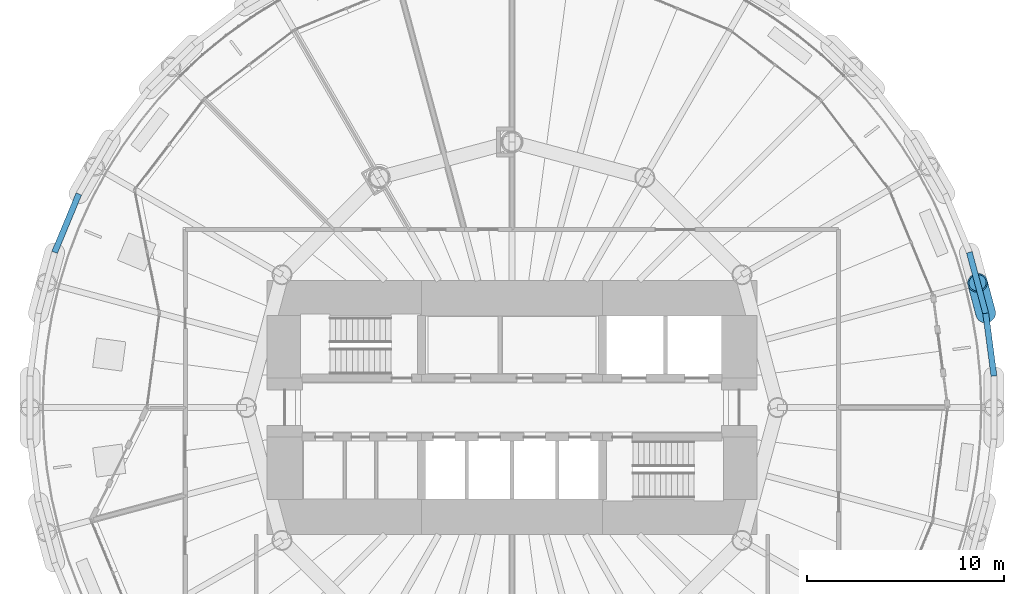
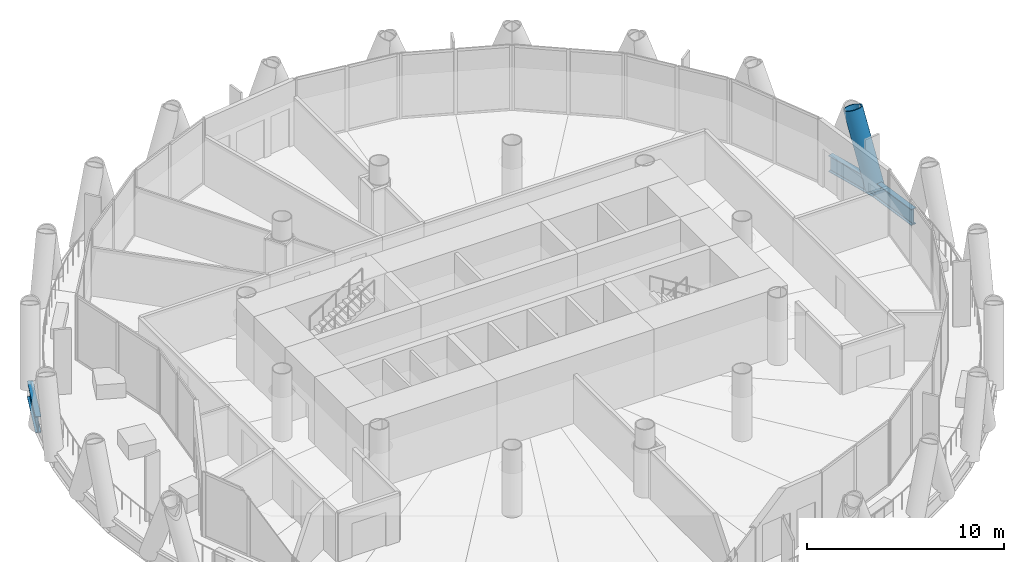
# One storey, part 5 of 16: 3 beams, 1 member.
"""IFC4 building model written with IfcOpenShell, lengths in metres."""

from ifc_helpers import new_model, si_unit, direction, frame, origin, origin_2d, place, context, subcontext, project, spatial, hollow_circle, i_section, extrude, material, material_profile, profile_set, type_object, element, save


model = new_model("IFC4")

# Units and contexts
model_context = context("Model", 3, precision=1e-05, world=origin(), true_north=direction((0.0, 1.0)))
body_context = subcontext(model_context, "Body", "Model", "MODEL_VIEW")
ifc_project = project(units=[si_unit("LENGTHUNIT", "METRE"), si_unit("AREAUNIT", "SQUARE_METRE"), si_unit("VOLUMEUNIT", "CUBIC_METRE"), si_unit("PLANEANGLEUNIT", "RADIAN"), si_unit("MASSUNIT", "GRAM", prefix="KILO")], contexts=[model_context])

# Site, building, storey
site_placement = place(None, origin())
site = spatial("IfcSite", under=ifc_project, at=site_placement, CompositionType="ELEMENT")
building_placement = place(site_placement, origin())
building = spatial("IfcBuilding", under=site, at=building_placement, Name="Qaws Media Tower", CompositionType="ELEMENT")
storey_placement = place(building_placement, frame((0.0, 0.0, 173.0)))
storey = spatial("IfcBuildingStorey", under=building, at=storey_placement, Name="L39", CompositionType="ELEMENT", Elevation=173.0)

# Member
ifc_material_1 = material(Name="Steel S460", Category="steel")
ifc_material_profile_1 = material_profile(ifc_material_1, hollow_circle(Radius=0.508056640625, WallThickness=0.070068359375, at=origin_2d()), Name="CHS 1016x70")
ifc_profile_set_1 = profile_set([ifc_material_profile_1], Name="Steel S460")
member_type = type_object("IfcMemberType", Name="Diagrid member CHS 1016x70", PredefinedType="USERDEFINED", material=ifc_profile_set_1)
member_placement = place(storey_placement, frame((84.078369140625, 54.78955078125, -0.6640625), z_axis=(-0.091870799461, 0.345058469608, 0.934074091686), x_axis=(-0.966335817564, -0.257284060318, 0.0)))
element("IfcMember", 1, at=member_placement, inside=storey, type_object=member_type, Name="DG3 diagrid L39 A01", ObjectType="DIAGRID", PredefinedType="USERDEFINED", context=body_context, shape_type="SweptSolid", body=[
    extrude(hollow_circle(Radius=0.508056640625, WallThickness=0.070068359375, at=origin_2d()), origin(), (0.0, 0.0, 1.0), 4.496337890625),
])

# Beams
ifc_material_2 = material(Name="Steel S460", Category="steel")
ifc_material_profile_2 = material_profile(ifc_material_2, i_section(OverallWidth=0.302001953125, OverallDepth=1.008056640625, WebThickness=0.02099609375, FlangeThickness=0.0400390625, FilletRadius=0.030029296875, at=origin_2d()), Name="HE 1000 M")
ifc_profile_set_2 = profile_set([ifc_material_profile_2], Name="Steel S460")
beam_type = type_object("IfcBeamType", Name="Edge ring beam HE 1000 M", PredefinedType="BEAM", material=ifc_profile_set_2)
beam_placement = place(storey_placement, frame((84.49755859375, 51.605712890625, -0.6640625), z_axis=(-0.130535143282, 0.991443682903, 0.0), x_axis=(-0.991443682903, -0.130535143282, 0.0)))
element("IfcBeam", 2, at=beam_placement, inside=storey, type_object=beam_type, Name="RB3 edge ring beam L39-01", PredefinedType="BEAM", context=body_context, shape_type="SweptSolid", body=[
    extrude(i_section(OverallWidth=0.302001953125, OverallDepth=1.008056640625, WebThickness=0.02099609375, FlangeThickness=0.0400390625, FilletRadius=0.030029296875, at=origin_2d()), origin(), (0.0, 0.0, 1.0), 3.21142578125),
])
for number, where, z_axis, x_axis, name in (
    (3, (84.078369140625, 54.78955078125, -0.6640625), (-0.258869088973, 0.965912415685, 0.0), (-0.965912415685, -0.258869088973, 0.0), "RB3 edge ring beam L39-02"),
    (4, (37.981689453125, 60.858154296875, -0.6640625), (-0.382649478893, -0.923893595769, 0.0), (0.923893595769, -0.382649478893, 0.0), "RB3 edge ring beam L39-21"),
):
    element("IfcBeam", number, at=place(storey_placement, frame(where, z_axis=z_axis, x_axis=x_axis)), inside=storey, type_object=beam_type, Name=name, PredefinedType="BEAM", context=body_context, shape_type="SweptSolid", body=[
        extrude(i_section(OverallWidth=0.302001953125, OverallDepth=1.008056640625, WebThickness=0.02099609375, FlangeThickness=0.0400390625, FilletRadius=0.030029296875, at=origin_2d()), origin(), (0.0, 0.0, 1.0), 3.211181640625),
    ])

save(model, "model.ifc")
